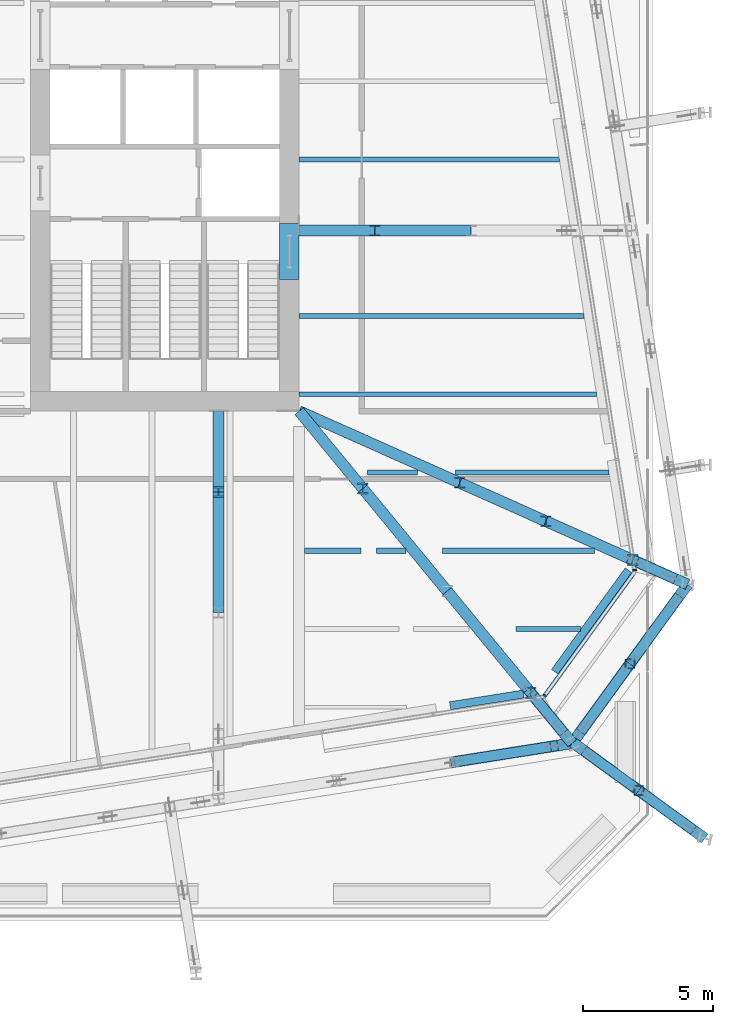
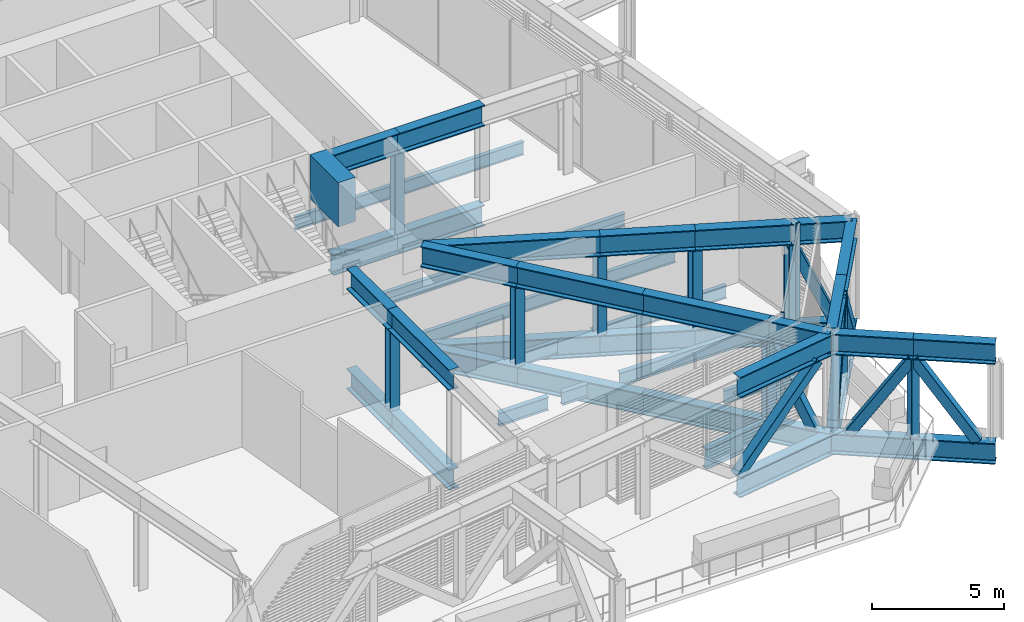
# One storey, part 8 of 32: 46 beams, 19 members, 2 elements without a shape of their own.
"""IFC4 building model written with IfcOpenShell, lengths in metres."""

import ifcopenshell
import ifcopenshell.guid

model = None  # the IFC model being written
_history = None  # IfcOwnerHistory: only IFC2X3 demands one
_inside = {}  # id of a spatial element -> (the spatial element, [elements in it])
_under = {}  # id of a project, library or spatial element -> (it, [spatial elements below it])
_declared = {}  # id of a project -> (the project, [libraries it declares])
_typed = {}  # id of a type object -> (the type object, [elements of that type])
_made_of = {}  # id of a material, layer set ... -> (it, [elements and type objects made of it])


def new_model(schema):
    """Start an empty IFC model of exactly this schema.

    Asked for "IFC4X3", IfcOpenShell would pick the latest addendum, in which some entities
    have other attributes; the version numbers below select the first issue.
    IFC2X3 requires an IfcOwnerHistory on every rooted entity: one is made here for all.
    """
    global model, _history
    if schema == "IFC4X3":
        model = ifcopenshell.file(schema_version=(4, 3, 0, 0))
    else:
        model = ifcopenshell.file(schema=schema)
    _inside.clear()
    _under.clear()
    _declared.clear()
    _typed.clear()
    _made_of.clear()
    _history = None
    if model.schema == "IFC2X3":
        org = make("IfcOrganization", Name="unknown")
        user = make(
            "IfcPersonAndOrganization",
            ThePerson=make("IfcPerson", FamilyName="unknown"),
            TheOrganization=org,
        )
        app = make(
            "IfcApplication",
            ApplicationDeveloper=org,
            Version="unknown",
            ApplicationFullName="unknown",
            ApplicationIdentifier="unknown",
        )
        _history = make(
            "IfcOwnerHistory",
            OwningUser=user,
            OwningApplication=app,
            ChangeAction="ADDED",
            CreationDate=0,
        )
    return model


def make(cls, **values):
    """One entity of the class cls with the attributes given. An attribute that is None is left unset."""
    return model.create_entity(
        cls, **{name: value for name, value in values.items() if value is not None}
    )


def rooted(cls, **values):
    """An entity with a GlobalId (a new one), such as an element, a storey or a relation."""
    return make(cls, GlobalId=ifcopenshell.guid.new(), OwnerHistory=_history, **values)


def si_unit(unit_type, name, prefix=None):
    """IfcSIUnit, for example si_unit("LENGTHUNIT", "METRE", prefix="MILLI")."""
    return make("IfcSIUnit", UnitType=unit_type, Prefix=prefix, Name=name)


def assignment(units):
    """IfcUnitAssignment: the units of a project."""
    return None if units is None else make("IfcUnitAssignment", Units=units)


def point(xyz):
    """IfcCartesianPoint."""
    return None if xyz is None else make("IfcCartesianPoint", Coordinates=xyz)


def direction(xyz):
    """IfcDirection."""
    return None if xyz is None else make("IfcDirection", DirectionRatios=xyz)


def frame(location, z_axis=None, x_axis=None):
    """IfcAxis2Placement3D, a coordinate frame: its origin and axes. An axis left out is left unset."""
    return make(
        "IfcAxis2Placement3D",
        Location=point(location),
        Axis=direction(z_axis),
        RefDirection=direction(x_axis),
    )


def frame_2d(location, x_axis=None):
    """IfcAxis2Placement2D, a coordinate frame in the plane: its origin and x axis."""
    return make(
        "IfcAxis2Placement2D", Location=point(location), RefDirection=direction(x_axis)
    )


def origin():
    """The frame at (0, 0, 0) with its axes left unset."""
    return frame((0.0, 0.0, 0.0))


def origin_2d():
    """The frame at (0, 0) in the plane with its x axis left unset."""
    return frame_2d((0.0, 0.0))


def place(relative_to, where):
    """IfcLocalPlacement: puts the frame where relative to a parent placement (None: the world)."""
    return make(
        "IfcLocalPlacement", PlacementRelTo=relative_to, RelativePlacement=where
    )


def context(
    kind, dimensions, precision=None, world=None, true_north=None, identifier=None
):
    """IfcGeometricRepresentationContext, for example the 3D "Model" context."""
    return make(
        "IfcGeometricRepresentationContext",
        ContextIdentifier=identifier,
        ContextType=kind,
        CoordinateSpaceDimension=dimensions,
        Precision=precision,
        WorldCoordinateSystem=world,
        TrueNorth=true_north,
    )


def subcontext(parent, identifier, kind, view, scale=None):
    """IfcGeometricRepresentationSubContext, for example "Body" below "Model"."""
    return make(
        "IfcGeometricRepresentationSubContext",
        ContextIdentifier=identifier,
        ContextType=kind,
        ParentContext=parent,
        TargetScale=scale,
        TargetView=view,
    )


def project(units=None, contexts=None):
    """IfcProject with its units and contexts."""
    return rooted(
        "IfcProject",
        Name="project",
        RepresentationContexts=contexts,
        UnitsInContext=assignment(units),
    )


def spatial(cls, under=None, at=None, **own):
    """A site, building, storey or space (cls), placed at a placement, below another one or the project."""
    s = rooted(cls, ObjectPlacement=at, **own)
    if under is not None:
        _under.setdefault(under.id(), (under, []))[1].append(s)
    return s


def profile(cls, at=None, kind="AREA", **sizes):
    """A parametric profile (cls). Its sizes go by their IFC names, for example OverallWidth=200.0."""
    return make(cls, ProfileType=kind, Position=at, **sizes)


def rectangle(**sizes):
    """IfcRectangleProfileDef."""
    return profile("IfcRectangleProfileDef", **sizes)


def hollow_rectangle(**sizes):
    """IfcRectangleHollowProfileDef."""
    return profile("IfcRectangleHollowProfileDef", **sizes)


def i_section(**sizes):
    """IfcIShapeProfileDef."""
    return profile("IfcIShapeProfileDef", **sizes)


def extrude(swept, where, along, depth):
    """IfcExtrudedAreaSolid: the profile swept, set in the frame where, extruded along a direction by depth."""
    return make(
        "IfcExtrudedAreaSolid",
        SweptArea=swept,
        Position=where,
        ExtrudedDirection=direction(along),
        Depth=depth,
    )


def shape(context_of_items, identifier, shape_type, items):
    """IfcShapeRepresentation: the items that make up one representation, for example the "Body"."""
    return make(
        "IfcShapeRepresentation",
        ContextOfItems=context_of_items,
        RepresentationIdentifier=identifier,
        RepresentationType=shape_type,
        Items=items,
    )


def material(Name=None, Category=None):
    """IfcMaterial."""
    return make("IfcMaterial", Name=Name, Category=Category)


def layer(
    of_material, thickness, ventilated=None, Name=None, Category=None, Priority=None
):
    """IfcMaterialLayer: one layer of a wall or slab, of a material (None: an air gap)."""
    return make(
        "IfcMaterialLayer",
        Material=of_material,
        LayerThickness=thickness,
        IsVentilated=ventilated,
        Name=Name,
        Category=Category,
        Priority=Priority,
    )


def layer_set(layers, Name=None):
    """IfcMaterialLayerSet."""
    return make("IfcMaterialLayerSet", MaterialLayers=layers, LayerSetName=Name)


def material_profile(
    of_material, cross_section, Name=None, Category=None, Priority=None
):
    """IfcMaterialProfile: a cross section and its material."""
    return make(
        "IfcMaterialProfile",
        Name=Name,
        Material=of_material,
        Profile=cross_section,
        Priority=Priority,
        Category=Category,
    )


def profile_set(profiles, Name=None, composite=None):
    """IfcMaterialProfileSet."""
    return make(
        "IfcMaterialProfileSet",
        Name=Name,
        MaterialProfiles=profiles,
        CompositeProfile=composite,
    )


def made_of(thing, what):
    """Note that an element or type object is made of a material, layer set ...; save() writes the relation."""
    if what is not None:
        _made_of.setdefault(what.id(), (what, []))[1].append(thing)
    return thing


def type_object(cls, material=None, **own):
    """A type object (cls), such as IfcWallType, which elements share."""
    return made_of(rooted(cls, **own), material)


def element(
    cls,
    number,
    at=None,
    inside=None,
    cuts=None,
    type_object=None,
    material=None,
    context=None,
    identifier="Body",
    shape_type=None,
    held_by="IfcProductDefinitionShape",
    body=None,
    shapes=None,
    **own,
):
    """One element of the class cls, such as IfcWall. Its Tag is "e" and its number.

    at: its placement. inside: the storey or other place that contains it. cuts: it is an
    opening in that element (IfcRelVoidsElement). A single representation is given by context,
    identifier, shape_type and body (its items); several are given by shapes. held_by: the class
    of the entity that holds the representations. save() writes the other relations.
    """
    e = rooted(cls, Tag="e%d" % number, ObjectPlacement=at, **own)
    if body is not None:
        shapes = [shape(context, identifier, shape_type, body)]
    if shapes is not None:
        e.Representation = make(held_by, Representations=shapes)
    if inside is not None:
        _inside.setdefault(inside.id(), (inside, []))[1].append(e)
    if cuts is not None:
        rooted(
            "IfcRelVoidsElement", RelatingBuildingElement=cuts, RelatedOpeningElement=e
        )
    if type_object is not None:
        _typed.setdefault(type_object.id(), (type_object, []))[1].append(e)
    return made_of(e, material)


def aggregate(whole, parts):
    """IfcRelAggregates: a whole, such as a stair, and the parts it consists of."""
    return rooted("IfcRelAggregates", RelatingObject=whole, RelatedObjects=parts)


def save(model, path):
    """Write the relations noted so far, then the file.

    IfcRelAggregates (storeys below a building ...), IfcRelContainedInSpatialStructure (elements
    in a storey), IfcRelDefinesByType, IfcRelAssociatesMaterial and IfcRelDeclares: one each for
    every whole, place, type object, material and project.
    """
    for whole, parts in _under.values():
        aggregate(whole, parts)
    for where, things in _inside.values():
        rooted(
            "IfcRelContainedInSpatialStructure",
            RelatedElements=things,
            RelatingStructure=where,
        )
    for kind, things in _typed.values():
        rooted("IfcRelDefinesByType", RelatedObjects=things, RelatingType=kind)
    for what, things in _made_of.values():
        rooted("IfcRelAssociatesMaterial", RelatedObjects=things, RelatingMaterial=what)
    for by, libraries in _declared.values():
        rooted("IfcRelDeclares", RelatingContext=by, RelatedDefinitions=libraries)
    model.write(path)


model = new_model("IFC4")

# Units and contexts
model_context = context("Model", 3, precision=1e-05, world=origin(), true_north=direction((0.0, 1.0)))
body_context = subcontext(model_context, "Body", "Model", "MODEL_VIEW")
ifc_project = project(units=[si_unit("LENGTHUNIT", "METRE"), si_unit("AREAUNIT", "SQUARE_METRE"), si_unit("VOLUMEUNIT", "CUBIC_METRE"), si_unit("PLANEANGLEUNIT", "RADIAN"), si_unit("MASSUNIT", "GRAM", prefix="KILO")], contexts=[model_context])

# Site, building, storey
site_placement = place(None, origin())
site = spatial("IfcSite", under=ifc_project, at=site_placement, CompositionType="ELEMENT")
building_placement = place(site_placement, origin())
building = spatial("IfcBuilding", under=site, at=building_placement, Name="Millrace Tower", CompositionType="ELEMENT")
storey_placement = place(building_placement, frame((0.0, 0.0, 124.89990234375)))
storey = spatial("IfcBuildingStorey", under=building, at=storey_placement, Name="L27", CompositionType="ELEMENT", Elevation=124.89990234375)

# Curtain wall, member
ifc_material_1 = material(Name="Aluminium and glass", Category="aluminium")
ifc_layer = layer(ifc_material_1, 0.14990234375)
ifc_layer_set = layer_set([ifc_layer], Name="Aluminium and glass")
curtain_wall_type = type_object("IfcCurtainWallType", Name="CW-5 truss and plant storey louvred infill", PredefinedType="NOTDEFINED", material=ifc_layer_set)
placement = place(storey_placement, origin())
curtain_wall_1 = element("IfcCurtainWall", 1, at=placement, inside=storey, type_object=curtain_wall_type, Name="Curtain wall C-F03 L27", PredefinedType="NOTDEFINED")
ifc_material_2 = material(Name="Aluminium", Category="aluminium")
ifc_material_profile_1 = material_profile(ifc_material_2, rectangle(XDim=0.06494140625, YDim=0.14990234375, at=origin_2d()))
ifc_profile_set_1 = profile_set([ifc_material_profile_1], Name="Aluminium")
member_type_1 = type_object("IfcMemberType", Name="CW-5 truss and plant storey louvred infill mullion", PredefinedType="MULLION", material=ifc_profile_set_1)
member_1_placement = place(storey_placement, frame((24.06787109375, -20.551513671875, 0.14013671875), z_axis=(0.0, 0.0, 1.0), x_axis=(0.587785269844, 0.809016981623, 0.0)))
member_1 = element("IfcMember", 2, at=member_1_placement, type_object=member_type_1, Name="CW5 mullion C-F03.1", PredefinedType="MULLION", context=body_context, shape_type="SweptSolid", body=[
    extrude(rectangle(XDim=0.06494140625, YDim=0.14990234375, at=origin_2d()), origin(), (0.0, 0.0, 1.0), 4.4599609375),
])

curtain_wall_2 = element("IfcCurtainWall", 3, at=placement, inside=storey, type_object=curtain_wall_type, Name="Curtain wall C-F04 L27", PredefinedType="NOTDEFINED")
member_2_placement = place(storey_placement, frame((27.506591796875, -15.74169921875, 0.14013671875), z_axis=(0.0, 0.0, 1.0), x_axis=(-0.15643447328, 0.98768833929, 0.0)))
member_2 = element("IfcMember", 4, at=member_2_placement, type_object=member_type_1, Name="CW5 mullion C-F04.1", PredefinedType="MULLION", context=body_context, shape_type="SweptSolid", body=[
    extrude(rectangle(XDim=0.06494140625, YDim=0.14990234375, at=origin_2d()), origin(), (0.0, 0.0, 1.0), 4.4599609375),
])
aggregate(curtain_wall_2, [member_2])

# Member
ifc_material_3 = material(Name="Aluminium", Category="aluminium")
ifc_material_profile_2 = material_profile(ifc_material_3, rectangle(XDim=0.14990234375, YDim=0.139892578125, at=origin_2d()))
ifc_profile_set_2 = profile_set([ifc_material_profile_2], Name="Aluminium")
member_type_2 = type_object("IfcMemberType", Name="CW-5 truss and plant storey louvred infill transom", PredefinedType="USERDEFINED", material=ifc_profile_set_2)
member_3_placement = place(storey_placement, frame((24.107421875, -20.496826171875, 0.070068359375), z_axis=(0.587810581339, 0.808998591139, 0.0), x_axis=(-0.808998591139, 0.587810581339, 0.0)))
member_3 = element("IfcMember", 5, at=member_3_placement, type_object=member_type_2, Name="CW5 transom C-F03.1", ObjectType="TRANSOM", PredefinedType="USERDEFINED", context=body_context, shape_type="SweptSolid", body=[
    extrude(rectangle(XDim=0.14990234375, YDim=0.139892578125, at=origin_2d()), origin(), (0.0, 0.0, 1.0), 5.6689453125),
])

aggregate(curtain_wall_1, [member_1, member_3])

# Beams
ifc_material_4 = material(Name="Concrete C70", Category="concrete")
ifc_material_profile_3 = material_profile(ifc_material_4, rectangle(XDim=0.75, YDim=2.0400390625, at=origin_2d()))
ifc_profile_set_3 = profile_set([ifc_material_profile_3], Name="Concrete C70")
beam_type_1 = type_object("IfcBeamType", Name="Coupling beam 750 x 2040 Concrete C70, 1300 opening", PredefinedType="BEAM", material=ifc_profile_set_3)
beam_1_placement = place(storey_placement, frame((14.27490234375, -2.458984375, 3.420166015625), z_axis=(0.0, -1.0, 0.0), x_axis=(1.0, 0.0, 0.0)))
element("IfcBeam", 6, at=beam_1_placement, inside=storey, type_object=beam_type_1, Name="Coupling beam E L27", PredefinedType="BEAM", context=body_context, shape_type="SweptSolid", body=[
    extrude(rectangle(XDim=0.75, YDim=2.0400390625, at=origin_2d()), origin(), (0.0, 0.0, 1.0), 2.14208984375),
])
ifc_material_5 = material(Name="Steel ASTM A992 Grade 50", Category="steel")
ifc_material_profile_4 = material_profile(ifc_material_5, i_section(OverallWidth=0.177978515625, OverallDepth=0.599365234375, WebThickness=0.010009765625, FlangeThickness=0.012939453125, FilletRadius=0.012939453125, at=origin_2d()))
ifc_profile_set_4 = profile_set([ifc_material_profile_4], Name="Steel ASTM A992 Grade 50")
beam_type_2 = type_object("IfcBeamType", Name="Floor beam W24x55", PredefinedType="JOIST", material=ifc_profile_set_4)
beam_2_placement = place(storey_placement, frame((14.64990234375, 0.0, -0.459716796875), z_axis=(1.0, 0.0, 0.0), x_axis=(0.0, 1.0, 0.0)))
element("IfcBeam", 7, at=beam_2_placement, inside=storey, type_object=beam_type_2, Name="BM-C-L27-S1-S021", PredefinedType="JOIST", context=body_context, shape_type="SweptSolid", body=[
    extrude(i_section(OverallWidth=0.177978515625, OverallDepth=0.599365234375, WebThickness=0.010009765625, FlangeThickness=0.012939453125, FilletRadius=0.012939453125, at=origin_2d()), origin(), (0.0, 0.0, 1.0), 9.976318359375),
])
ifc_material_6 = material(Name="Steel ASTM A992 Grade 50", Category="steel")
ifc_material_profile_5 = material_profile(ifc_material_6, i_section(OverallWidth=0.1787109375, OverallDepth=0.60205078125, WebThickness=0.010986328125, FlangeThickness=0.014892578125, FilletRadius=0.0126953125, at=origin_2d()))
ifc_profile_set_5 = profile_set([ifc_material_profile_5], Name="Steel ASTM A992 Grade 50")
beam_type_3 = type_object("IfcBeamType", Name="Floor beam W24x62", PredefinedType="JOIST", material=ifc_profile_set_5)
beam_3_placement = place(storey_placement, frame((14.64990234375, -9.0, -0.4609375), z_axis=(1.0, 0.0, 0.0), x_axis=(0.0, 1.0, 0.0)))
element("IfcBeam", 8, at=beam_3_placement, inside=storey, type_object=beam_type_3, Name="BM-C-L27-S1-S012", PredefinedType="JOIST", context=body_context, shape_type="SweptSolid", body=[
    extrude(i_section(OverallWidth=0.1787109375, OverallDepth=0.60205078125, WebThickness=0.010986328125, FlangeThickness=0.014892578125, FilletRadius=0.0126953125, at=origin_2d()), origin(), (0.0, 0.0, 1.0), 11.40185546875),
])
beam_4_placement = place(storey_placement, frame((14.64990234375, -6.0, -0.4609375), z_axis=(1.0, 0.0, 0.0), x_axis=(0.0, 1.0, 0.0)))
element("IfcBeam", 9, at=beam_4_placement, inside=storey, type_object=beam_type_3, Name="BM-C-L27-S1-S015", PredefinedType="JOIST", context=body_context, shape_type="SweptSolid", body=[
    extrude(i_section(OverallWidth=0.1787109375, OverallDepth=0.60205078125, WebThickness=0.010986328125, FlangeThickness=0.014892578125, FilletRadius=0.0126953125, at=origin_2d()), origin(), (0.0, 0.0, 1.0), 10.9267578125),
])
beam_5_placement = place(storey_placement, frame((22.96875, -18.0, -0.4609375), z_axis=(1.0, 0.0, 0.0), x_axis=(0.0, 1.0, 0.0)))
element("IfcBeam", 10, at=beam_5_placement, inside=storey, type_object=beam_type_3, Name="BM-C-L27-S1-S005-b-b", PredefinedType="JOIST", context=body_context, shape_type="SweptSolid", body=[
    extrude(i_section(OverallWidth=0.1787109375, OverallDepth=0.60205078125, WebThickness=0.010986328125, FlangeThickness=0.014892578125, FilletRadius=0.0126953125, at=origin_2d()), origin(), (0.0, 0.0, 1.0), 2.46826171875),
])
beam_6_placement = place(storey_placement, frame((17.27685546875, -12.0, -0.4609375), z_axis=(1.0, 0.0, 0.0), x_axis=(0.0, 1.0, 0.0)))
element("IfcBeam", 11, at=beam_6_placement, inside=storey, type_object=beam_type_3, Name="BM-C-L27-S1-S009-a", PredefinedType="JOIST", context=body_context, shape_type="SweptSolid", body=[
    extrude(i_section(OverallWidth=0.1787109375, OverallDepth=0.60205078125, WebThickness=0.010986328125, FlangeThickness=0.014892578125, FilletRadius=0.0126953125, at=origin_2d()), origin(), (0.0, 0.0, 1.0), 1.91796875),
])
beam_7_placement = place(storey_placement, frame((20.645263671875, -12.0, -0.4609375), z_axis=(1.0, 0.0, 0.0), x_axis=(0.0, 1.0, 0.0)))
element("IfcBeam", 12, at=beam_7_placement, inside=storey, type_object=beam_type_3, Name="BM-C-L27-S1-S009-b", PredefinedType="JOIST", context=body_context, shape_type="SweptSolid", body=[
    extrude(i_section(OverallWidth=0.1787109375, OverallDepth=0.60205078125, WebThickness=0.010986328125, FlangeThickness=0.014892578125, FilletRadius=0.0126953125, at=origin_2d()), origin(), (0.0, 0.0, 1.0), 5.881591796875),
])
ifc_material_7 = material(Name="Steel ASTM A992 Grade 50", Category="steel")
ifc_material_profile_6 = material_profile(ifc_material_7, i_section(OverallWidth=0.228271484375, OverallDepth=0.607177734375, WebThickness=0.01123046875, FlangeThickness=0.017333984375, FilletRadius=0.0126953125, at=origin_2d()))
ifc_profile_set_6 = profile_set([ifc_material_profile_6], Name="Steel ASTM A992 Grade 50")
beam_type_4 = type_object("IfcBeamType", Name="Floor beam W24x76", PredefinedType="JOIST", material=ifc_profile_set_6)
beam_8_placement = place(storey_placement, frame((14.859619140625, -15.0, -0.46337890625), z_axis=(1.0, 0.0, 0.0), x_axis=(0.0, 1.0, 0.0)))
element("IfcBeam", 13, at=beam_8_placement, inside=storey, type_object=beam_type_4, Name="BM-C-L27-S1-S007-a", PredefinedType="JOIST", context=body_context, shape_type="SweptSolid", body=[
    extrude(i_section(OverallWidth=0.228271484375, OverallDepth=0.607177734375, WebThickness=0.01123046875, FlangeThickness=0.017333984375, FilletRadius=0.0126953125, at=origin_2d()), origin(), (0.0, 0.0, 1.0), 2.16796875),
])
beam_9_placement = place(storey_placement, frame((17.62255859375, -15.0, -0.46337890625), z_axis=(1.0, 0.0, 0.0), x_axis=(0.0, 1.0, 0.0)))
element("IfcBeam", 14, at=beam_9_placement, inside=storey, type_object=beam_type_4, Name="BM-C-L27-S1-S007-b-a", PredefinedType="JOIST", context=body_context, shape_type="SweptSolid", body=[
    extrude(i_section(OverallWidth=0.228271484375, OverallDepth=0.607177734375, WebThickness=0.01123046875, FlangeThickness=0.017333984375, FilletRadius=0.0126953125, at=origin_2d()), origin(), (0.0, 0.0, 1.0), 1.118408203125),
])
beam_10_placement = place(storey_placement, frame((20.14892578125, -15.0, -0.46337890625), z_axis=(1.0, 0.0, 0.0), x_axis=(0.0, 1.0, 0.0)))
element("IfcBeam", 15, at=beam_10_placement, inside=storey, type_object=beam_type_4, Name="BM-C-L27-S1-S007-b-b", PredefinedType="JOIST", context=body_context, shape_type="SweptSolid", body=[
    extrude(i_section(OverallWidth=0.228271484375, OverallDepth=0.607177734375, WebThickness=0.01123046875, FlangeThickness=0.017333984375, FilletRadius=0.0126953125, at=origin_2d()), origin(), (0.0, 0.0, 1.0), 5.821044921875),
])
ifc_material_8 = material(Name="Steel ASTM A992 Grade 50", Category="steel")
ifc_material_profile_7 = material_profile(ifc_material_8, i_section(OverallWidth=0.307373046875, OverallDepth=0.927001953125, WebThickness=0.01953125, FlangeThickness=0.031982421875, FilletRadius=0.01904296875, at=origin_2d()))
ifc_profile_set_7 = profile_set([ifc_material_profile_7], Name="Steel ASTM A992 Grade 50")
beam_type_5 = type_object("IfcBeamType", Name="Ring beam short span W36x194", PredefinedType="SPANDREL", material=ifc_profile_set_7)
beam_11_placement = place(storey_placement, frame((27.27587890625, -15.746826171875, -0.62353515625), z_axis=(-0.587809578929, -0.80899931948, 0.0), x_axis=(0.80899931948, -0.587809578929, 0.0)))
element("IfcBeam", 16, at=beam_11_placement, inside=storey, type_object=beam_type_5, Name="RNG-C-L27-S1-12", PredefinedType="SPANDREL", context=body_context, shape_type="SweptSolid", body=[
    extrude(i_section(OverallWidth=0.307373046875, OverallDepth=0.927001953125, WebThickness=0.01953125, FlangeThickness=0.031982421875, FilletRadius=0.01904296875, at=origin_2d()), origin(), (0.0, 0.0, 1.0), 4.811279296875),
])
beam_12_placement = place(storey_placement, frame((23.25146484375, -20.49462890625, -0.62353515625), z_axis=(-0.987687747109, -0.156438212116, 0.0), x_axis=(0.156438212116, -0.987687747109, 0.0)))
element("IfcBeam", 17, at=beam_12_placement, inside=storey, type_object=beam_type_5, Name="RNG-C-L27-S1-13-a", PredefinedType="SPANDREL", context=body_context, shape_type="SweptSolid", body=[
    extrude(i_section(OverallWidth=0.307373046875, OverallDepth=0.927001953125, WebThickness=0.01953125, FlangeThickness=0.031982421875, FilletRadius=0.01904296875, at=origin_2d()), origin(), (0.0, 0.0, 1.0), 2.8466796875),
])

# Members
ifc_material_9 = material(Name="Steel ASTM A992 Grade 50", Category="steel")
ifc_material_profile_8 = material_profile(ifc_material_9, i_section(OverallWidth=0.406494140625, OverallDepth=0.41650390625, WebThickness=0.030029296875, FlangeThickness=0.048095703125, FilletRadius=0.01513671875, at=origin_2d()))
ifc_profile_set_8 = profile_set([ifc_material_profile_8], Name="Steel ASTM A992 Grade 50")
member_type_3 = type_object("IfcMemberType", Name="Transfer truss Vierendeel moment post W14x257", PredefinedType="POST", material=ifc_profile_set_8)
for number, where, z_axis, x_axis, name in (
    (18, (11.5595703125, -12.75, -0.159912109375), (0.0, 0.0, 1.0), (1.0, 0.0, 0.0), "TRS-L27-C04-V03"),
    (19, (23.531005859375, -20.448486328125, -0.159912109375), (0.0, 0.0, 1.0), (1.0, 0.0, 0.0), "TRS-L27-C05-V01"),
    (20, (17.089111328125, -12.61572265625, -0.159912109375), (0.0, 0.0, 1.0), (1.0, 0.0, 0.0), "TRS-L27-C05-V03"),
    (21, (27.442138671875, -15.354248046875, -0.159912109375), (0.0, 0.0, 1.0), (1.0, 0.0, 0.0), "TRS-L27-C06-V01"),
    (22, (24.1083984375, -13.86767578125, -0.159912109375), (0.0, 0.0, 1.0), (1.0, 0.0, 0.0), "TRS-L27-C06-V02"),
    (23, (20.8056640625, -12.39501953125, -0.159912109375), (0.0, 0.0, 1.0), (1.0, 0.0, 0.0), "TRS-L27-C06-V03"),
    (24, (17.550048828125, -2.7314453125, -0.159912109375), (0.0, 0.0, 1.0), (1.0, 0.0, 0.0), "TRS-L27-C07-V03"),
):
    element("IfcMember", number, at=place(storey_placement, frame(where, z_axis=z_axis, x_axis=x_axis)), inside=storey, type_object=member_type_3, Name=name, PredefinedType="POST", context=body_context, shape_type="SweptSolid", body=[
        extrude(i_section(OverallWidth=0.406494140625, OverallDepth=0.41650390625, WebThickness=0.030029296875, FlangeThickness=0.048095703125, FilletRadius=0.01513671875, at=origin_2d()), origin(), (0.0, 0.0, 1.0), 3.642333984375),
    ])

# Beams
ifc_material_10 = material(Name="Steel ASTM A992 Grade 50", Category="steel")
ifc_material_profile_9 = material_profile(ifc_material_10, i_section(OverallWidth=0.421630859375, OverallDepth=0.95751953125, WebThickness=0.02587890625, FlangeThickness=0.046875, FilletRadius=0.024169921875, at=origin_2d()))
ifc_profile_set_9 = profile_set([ifc_material_profile_9], Name="Steel ASTM A992 Grade 50")
beam_type_6 = type_object("IfcBeamType", Name="Transfer truss chord W36x330", PredefinedType="BEAM", material=ifc_profile_set_9)
for number, where, z_axis, x_axis, name in (
    (25, (20.599365234375, -23.09521484375, -0.638671875), (0.987689751328, 0.156425557764, 0.0), (-0.156425557764, 0.987689751328, 0.0), "TRS-L27-R04-B03"),
    (26, (20.599365234375, -23.09521484375, 3.96142578125), (0.987689751328, 0.156425557764, 0.0), (-0.156425557764, 0.987689751328, 0.0), "TRS-L27-R04-T03"),
):
    element("IfcBeam", number, at=place(storey_placement, frame(where, z_axis=z_axis, x_axis=x_axis)), inside=storey, type_object=beam_type_6, Name=name, PredefinedType="BEAM", context=body_context, shape_type="SweptSolid", body=[
        extrude(i_section(OverallWidth=0.421630859375, OverallDepth=0.95751953125, WebThickness=0.02587890625, FlangeThickness=0.046875, FilletRadius=0.024169921875, at=origin_2d()), origin(), (0.0, 0.0, 1.0), 4.576171875),
    ])
for number, where, z_axis, x_axis, name in (
    (27, (25.119140625, -22.37939453125, -0.638671875), (0.587774262707, 0.809024978662, 0.0), (-0.809024978662, 0.587774262707, 0.0), "TRS-L27-R05-B01"),
    (28, (25.119140625, -22.37939453125, 3.96142578125), (0.587774262707, 0.809024978662, 0.0), (-0.809024978662, 0.587774262707, 0.0), "TRS-L27-R05-T01"),
):
    element("IfcBeam", number, at=place(storey_placement, frame(where, z_axis=z_axis, x_axis=x_axis)), inside=storey, type_object=beam_type_6, Name=name, PredefinedType="BEAM", context=body_context, shape_type="SweptSolid", body=[
        extrude(i_section(OverallWidth=0.421630859375, OverallDepth=0.95751953125, WebThickness=0.02587890625, FlangeThickness=0.046875, FilletRadius=0.024169921875, at=origin_2d()), origin(), (0.0, 0.0, 1.0), 3.7626953125),
    ])
for number, where, z_axis, x_axis, name in (
    (29, (27.330810546875, -19.335205078125, -0.638671875), (0.587816727531, 0.80899412534, 0.0), (-0.80899412534, 0.587816727531, 0.0), "TRS-L27-R05-B02"),
    (30, (27.330810546875, -19.335205078125, 3.96142578125), (0.587816727531, 0.80899412534, 0.0), (-0.80899412534, 0.587816727531, 0.0), "TRS-L27-R05-T02"),
):
    element("IfcBeam", number, at=place(storey_placement, frame(where, z_axis=z_axis, x_axis=x_axis)), inside=storey, type_object=beam_type_6, Name=name, PredefinedType="BEAM", context=body_context, shape_type="SweptSolid", body=[
        extrude(i_section(OverallWidth=0.421630859375, OverallDepth=0.95751953125, WebThickness=0.02587890625, FlangeThickness=0.046875, FilletRadius=0.024169921875, at=origin_2d()), origin(), (0.0, 0.0, 1.0), 3.762939453125),
    ])
for number, where, z_axis, x_axis, name in (
    (31, (11.5595703125, -17.376953125, -0.638671875), (0.0, 1.0, 0.0), (-1.0, 0.0, 0.0), "TRS-L27-C04-B03"),
    (32, (11.5595703125, -17.376953125, 3.96142578125), (0.0, 1.0, 0.0), (-1.0, 0.0, 0.0), "TRS-L27-C04-T03"),
):
    element("IfcBeam", number, at=place(storey_placement, frame(where, z_axis=z_axis, x_axis=x_axis)), inside=storey, type_object=beam_type_6, Name=name, PredefinedType="BEAM", context=body_context, shape_type="SweptSolid", body=[
        extrude(i_section(OverallWidth=0.421630859375, OverallDepth=0.95751953125, WebThickness=0.02587890625, FlangeThickness=0.046875, FilletRadius=0.024169921875, at=origin_2d()), origin(), (0.0, 0.0, 1.0), 4.626953125),
    ])
for number, where, z_axis, x_axis, name in (
    (33, (11.5595703125, -12.75, -0.638671875), (0.0, 1.0, 0.0), (-1.0, 0.0, 0.0), "TRS-L27-C04-B04"),
    (34, (11.5595703125, -12.75, 3.96142578125), (0.0, 1.0, 0.0), (-1.0, 0.0, 0.0), "TRS-L27-C04-T04"),
):
    element("IfcBeam", number, at=place(storey_placement, frame(where, z_axis=z_axis, x_axis=x_axis)), inside=storey, type_object=beam_type_6, Name=name, PredefinedType="BEAM", context=body_context, shape_type="SweptSolid", body=[
        extrude(i_section(OverallWidth=0.421630859375, OverallDepth=0.95751953125, WebThickness=0.02587890625, FlangeThickness=0.046875, FilletRadius=0.024169921875, at=origin_2d()), origin(), (0.0, 0.0, 1.0), 3.10009765625),
    ])
for number, where, z_axis, x_axis, name in (
    (35, (25.119140625, -22.37939453125, -0.638671875), (-0.635224507587, 0.772327537357, 0.0), (-0.772327537357, -0.635224507587, 0.0), "TRS-L27-C05-B01"),
    (36, (25.119140625, -22.37939453125, 3.96142578125), (-0.635224507587, 0.772327537357, 0.0), (-0.772327537357, -0.635224507587, 0.0), "TRS-L27-C05-T01"),
):
    element("IfcBeam", number, at=place(storey_placement, frame(where, z_axis=z_axis, x_axis=x_axis)), inside=storey, type_object=beam_type_6, Name=name, PredefinedType="BEAM", context=body_context, shape_type="SweptSolid", body=[
        extrude(i_section(OverallWidth=0.421630859375, OverallDepth=0.95751953125, WebThickness=0.02587890625, FlangeThickness=0.046875, FilletRadius=0.024169921875, at=origin_2d()), origin(), (0.0, 0.0, 1.0), 2.5),
    ])
for number, where, z_axis, x_axis, name in (
    (37, (23.531005859375, -20.448486328125, -0.638671875), (-0.635220773842, 0.772330608275, 0.0), (-0.772330608275, -0.635220773842, 0.0), "TRS-L27-C05-B02"),
    (38, (23.531005859375, -20.448486328125, 3.96142578125), (-0.635220773842, 0.772330608275, 0.0), (-0.772330608275, -0.635220773842, 0.0), "TRS-L27-C05-T02"),
):
    element("IfcBeam", number, at=place(storey_placement, frame(where, z_axis=z_axis, x_axis=x_axis)), inside=storey, type_object=beam_type_6, Name=name, PredefinedType="BEAM", context=body_context, shape_type="SweptSolid", body=[
        extrude(i_section(OverallWidth=0.421630859375, OverallDepth=0.95751953125, WebThickness=0.02587890625, FlangeThickness=0.046875, FilletRadius=0.024169921875, at=origin_2d()), origin(), (0.0, 0.0, 1.0), 5.0498046875),
    ])
for number, where, z_axis, x_axis, name in (
    (39, (20.3232421875, -16.54833984375, -0.638671875), (-0.635181049804, 0.772363278497, 0.0), (-0.772363278497, -0.635181049804, 0.0), "TRS-L27-C05-B03"),
    (40, (20.3232421875, -16.54833984375, 3.96142578125), (-0.635181049804, 0.772363278497, 0.0), (-0.772363278497, -0.635181049804, 0.0), "TRS-L27-C05-T03"),
):
    element("IfcBeam", number, at=place(storey_placement, frame(where, z_axis=z_axis, x_axis=x_axis)), inside=storey, type_object=beam_type_6, Name=name, PredefinedType="BEAM", context=body_context, shape_type="SweptSolid", body=[
        extrude(i_section(OverallWidth=0.421630859375, OverallDepth=0.95751953125, WebThickness=0.02587890625, FlangeThickness=0.046875, FilletRadius=0.024169921875, at=origin_2d()), origin(), (0.0, 0.0, 1.0), 5.091552734375),
    ])
for number, where, z_axis, x_axis, name in (
    (41, (17.089111328125, -12.61572265625, -0.638671875), (-0.635205706278, 0.772343000688, 0.0), (-0.772343000688, -0.635205706278, 0.0), "TRS-L27-C05-B04"),
    (42, (17.089111328125, -12.61572265625, 3.96142578125), (-0.635205706278, 0.772343000688, 0.0), (-0.772343000688, -0.635205706278, 0.0), "TRS-L27-C05-T04"),
):
    element("IfcBeam", number, at=place(storey_placement, frame(where, z_axis=z_axis, x_axis=x_axis)), inside=storey, type_object=beam_type_6, Name=name, PredefinedType="BEAM", context=body_context, shape_type="SweptSolid", body=[
        extrude(i_section(OverallWidth=0.421630859375, OverallDepth=0.95751953125, WebThickness=0.02587890625, FlangeThickness=0.046875, FilletRadius=0.024169921875, at=origin_2d()), origin(), (0.0, 0.0, 1.0), 3.840087890625),
    ])
for number, where, z_axis, x_axis, name in (
    (43, (29.542724609375, -16.291015625, -0.638671875), (-0.913298684626, 0.407290452454, 0.0), (-0.407290452454, -0.913298684626, 0.0), "TRS-L27-C06-B01"),
    (44, (29.542724609375, -16.291015625, 3.96142578125), (-0.913298684626, 0.407290452454, 0.0), (-0.407290452454, -0.913298684626, 0.0), "TRS-L27-C06-T01"),
):
    element("IfcBeam", number, at=place(storey_placement, frame(where, z_axis=z_axis, x_axis=x_axis)), inside=storey, type_object=beam_type_6, Name=name, PredefinedType="BEAM", context=body_context, shape_type="SweptSolid", body=[
        extrude(i_section(OverallWidth=0.421630859375, OverallDepth=0.95751953125, WebThickness=0.02587890625, FlangeThickness=0.046875, FilletRadius=0.024169921875, at=origin_2d()), origin(), (0.0, 0.0, 1.0), 2.300048828125),
    ])
for number, where, z_axis, x_axis, name in (
    (45, (27.442138671875, -15.354248046875, -0.638671875), (-0.913311635812, 0.407261409774, 0.0), (-0.407261409774, -0.913311635812, 0.0), "TRS-L27-C06-B02"),
    (46, (27.442138671875, -15.354248046875, 3.96142578125), (-0.913311635812, 0.407261409774, 0.0), (-0.407261409774, -0.913311635812, 0.0), "TRS-L27-C06-T02"),
):
    element("IfcBeam", number, at=place(storey_placement, frame(where, z_axis=z_axis, x_axis=x_axis)), inside=storey, type_object=beam_type_6, Name=name, PredefinedType="BEAM", context=body_context, shape_type="SweptSolid", body=[
        extrude(i_section(OverallWidth=0.421630859375, OverallDepth=0.95751953125, WebThickness=0.02587890625, FlangeThickness=0.046875, FilletRadius=0.024169921875, at=origin_2d()), origin(), (0.0, 0.0, 1.0), 3.650146484375),
    ])
for number, where, z_axis, x_axis, name in (
    (47, (24.1083984375, -13.86767578125, -0.638671875), (-0.913320889608, 0.407240656868, 0.0), (-0.407240656868, -0.913320889608, 0.0), "TRS-L27-C06-B03"),
    (48, (24.1083984375, -13.86767578125, 3.96142578125), (-0.913320889608, 0.407240656868, 0.0), (-0.407240656868, -0.913320889608, 0.0), "TRS-L27-C06-T03"),
):
    element("IfcBeam", number, at=place(storey_placement, frame(where, z_axis=z_axis, x_axis=x_axis)), inside=storey, type_object=beam_type_6, Name=name, PredefinedType="BEAM", context=body_context, shape_type="SweptSolid", body=[
        extrude(i_section(OverallWidth=0.421630859375, OverallDepth=0.95751953125, WebThickness=0.02587890625, FlangeThickness=0.046875, FilletRadius=0.024169921875, at=origin_2d()), origin(), (0.0, 0.0, 1.0), 3.6162109375),
    ])
for number, where, z_axis, x_axis, name in (
    (49, (20.8056640625, -12.39501953125, -0.638671875), (-0.913302978528, 0.407280823771, 0.0), (-0.407280823771, -0.913302978528, 0.0), "TRS-L27-C06-B04"),
    (50, (20.8056640625, -12.39501953125, 3.96142578125), (-0.913302978528, 0.407280823771, 0.0), (-0.407280823771, -0.913302978528, 0.0), "TRS-L27-C06-T04"),
):
    element("IfcBeam", number, at=place(storey_placement, frame(where, z_axis=z_axis, x_axis=x_axis)), inside=storey, type_object=beam_type_6, Name=name, PredefinedType="BEAM", context=body_context, shape_type="SweptSolid", body=[
        extrude(i_section(OverallWidth=0.421630859375, OverallDepth=0.95751953125, WebThickness=0.02587890625, FlangeThickness=0.046875, FilletRadius=0.024169921875, at=origin_2d()), origin(), (0.0, 0.0, 1.0), 6.739990234375),
    ])
for number, where, z_axis, x_axis, name in (
    (51, (21.2451171875, -2.7314453125, -0.638671875), (-1.0, 0.0, 0.0), (0.0, -1.0, 0.0), "TRS-L27-C07-B03"),
    (52, (21.2451171875, -2.7314453125, 3.96142578125), (-1.0, 0.0, 0.0), (0.0, -1.0, 0.0), "TRS-L27-C07-T03"),
):
    element("IfcBeam", number, at=place(storey_placement, frame(where, z_axis=z_axis, x_axis=x_axis)), inside=storey, type_object=beam_type_6, Name=name, PredefinedType="BEAM", context=body_context, shape_type="SweptSolid", body=[
        extrude(i_section(OverallWidth=0.421630859375, OverallDepth=0.95751953125, WebThickness=0.02587890625, FlangeThickness=0.046875, FilletRadius=0.024169921875, at=origin_2d()), origin(), (0.0, 0.0, 1.0), 3.695068359375),
    ])
for number, where, z_axis, x_axis, name in (
    (53, (17.550048828125, -2.7314453125, -0.638671875), (-1.0, 0.0, 0.0), (0.0, -1.0, 0.0), "TRS-L27-C07-B04"),
    (54, (17.550048828125, -2.7314453125, 3.96142578125), (-1.0, 0.0, 0.0), (0.0, -1.0, 0.0), "TRS-L27-C07-T04"),
):
    element("IfcBeam", number, at=place(storey_placement, frame(where, z_axis=z_axis, x_axis=x_axis)), inside=storey, type_object=beam_type_6, Name=name, PredefinedType="BEAM", context=body_context, shape_type="SweptSolid", body=[
        extrude(i_section(OverallWidth=0.421630859375, OverallDepth=0.95751953125, WebThickness=0.02587890625, FlangeThickness=0.046875, FilletRadius=0.024169921875, at=origin_2d()), origin(), (0.0, 0.0, 1.0), 2.900146484375),
    ])
for number, where, z_axis, x_axis, name in (
    (55, (30.199951171875, -26.0283203125, -0.638671875), (-0.80901279093, 0.587791037795, 0.0), (-0.587791037795, -0.80901279093, 0.0), "TRS-L27-B-B-X06-B01"),
    (56, (30.199951171875, -26.0283203125, 3.96142578125), (-0.80901279093, 0.587791037795, 0.0), (-0.587791037795, -0.80901279093, 0.0), "TRS-L27-B-B-X06-T01"),
    (57, (27.669677734375, -24.18994140625, -0.638671875), (-0.80901279093, 0.587791037795, 0.0), (-0.587791037795, -0.80901279093, 0.0), "TRS-L27-B-B-X06-B02"),
    (58, (27.669677734375, -24.18994140625, 3.96142578125), (-0.80901279093, 0.587791037795, 0.0), (-0.587791037795, -0.80901279093, 0.0), "TRS-L27-B-B-X06-T02"),
):
    element("IfcBeam", number, at=place(storey_placement, frame(where, z_axis=z_axis, x_axis=x_axis)), inside=storey, type_object=beam_type_6, Name=name, PredefinedType="BEAM", context=body_context, shape_type="SweptSolid", body=[
        extrude(i_section(OverallWidth=0.421630859375, OverallDepth=0.95751953125, WebThickness=0.02587890625, FlangeThickness=0.046875, FilletRadius=0.024169921875, at=origin_2d()), origin(), (0.0, 0.0, 1.0), 3.127685546875),
    ])

# Members
ifc_material_11 = material(Name="Steel ASTM A500 Grade C", Category="steel")
ifc_material_profile_10 = material_profile(ifc_material_11, hollow_rectangle(XDim=0.406494140625, YDim=0.406494140625, WallThickness=0.0126953125, InnerFilletRadius=0.00634765625, OuterFilletRadius=0.01904296875, at=origin_2d()))
ifc_profile_set_10 = profile_set([ifc_material_profile_10], Name="Steel ASTM A500 Grade C")
member_type_4 = type_object("IfcMemberType", Name="Transfer truss diagonal HSS16x16x1/2", PredefinedType="BRACE", material=ifc_profile_set_10)
member_4_placement = place(storey_placement, frame((20.599365234375, -23.09521484375, -0.159912109375), z_axis=(0.719769757725, 0.113971577605, 0.684793381512), x_axis=(-0.156395975046, 0.987694436043, 0.0)))
element("IfcMember", 59, at=member_4_placement, inside=storey, type_object=member_type_4, Name="TRS-L27-R04-D03", PredefinedType="BRACE", context=body_context, shape_type="SweptSolid", body=[
    extrude(hollow_rectangle(XDim=0.406494140625, YDim=0.406494140625, WallThickness=0.0126953125, InnerFilletRadius=0.00634765625, OuterFilletRadius=0.01904296875, at=origin_2d()), origin(), (0.0, 0.0, 1.0), 5.31884765625),
])
for number, where, z_axis, x_axis, name in (
    (60, (25.530517578125, -21.813232421875, -0.159912109375), (0.378290693751, 0.520701185458, 0.765353791709), (-0.809032407796, 0.587764036954, 0.0), "TRS-L27-R05-D01"),
    (61, (29.131103515625, -16.857177734375, -0.159912109375), (-0.378290693751, -0.520701185458, 0.765353791709), (0.809032407796, -0.587764036954, 0.0), "TRS-L27-R05-D02"),
):
    element("IfcMember", number, at=place(storey_placement, frame(where, z_axis=z_axis, x_axis=x_axis)), inside=storey, type_object=member_type_4, Name=name, PredefinedType="BRACE", context=body_context, shape_type="SweptSolid", body=[
        extrude(hollow_rectangle(XDim=0.406494140625, YDim=0.406494140625, WallThickness=0.0126953125, InnerFilletRadius=0.00634765625, OuterFilletRadius=0.01904296875, at=origin_2d()), origin(), (0.0, 0.0, 1.0), 4.759033203125),
    ])
member_5_placement = place(storey_placement, frame((24.67431640625, -21.8388671875, -0.159912109375), z_axis=(-0.2814046406, 0.34221640577, 0.89649281083), x_axis=(-0.772395914146, -0.635141363643, 0.0)))
element("IfcMember", 62, at=member_5_placement, inside=storey, type_object=member_type_4, Name="TRS-L27-C05-D01", PredefinedType="BRACE", context=body_context, shape_type="SweptSolid", body=[
    extrude(hollow_rectangle(XDim=0.406494140625, YDim=0.406494140625, WallThickness=0.0126953125, InnerFilletRadius=0.00634765625, OuterFilletRadius=0.01904296875, at=origin_2d()), origin(), (0.0, 0.0, 1.0), 4.06298828125),
])
member_6_placement = place(storey_placement, frame((28.9033203125, -16.005859375, -0.159912109375), z_axis=(-0.367295198695, 0.163794634138, 0.915568432638), x_axis=(-0.407284993593, -0.913301119015, 0.0)))
element("IfcMember", 63, at=member_6_placement, inside=storey, type_object=member_type_4, Name="TRS-L27-C06-D01", PredefinedType="BRACE", context=body_context, shape_type="SweptSolid", body=[
    extrude(hollow_rectangle(XDim=0.406494140625, YDim=0.406494140625, WallThickness=0.0126953125, InnerFilletRadius=0.00634765625, OuterFilletRadius=0.01904296875, at=origin_2d()), origin(), (0.0, 0.0, 1.0), 3.978271484375),
])
for number, where, z_axis, x_axis, name in (
    (64, (29.6337890625, -25.616943359375, -0.159912109375), (-0.448704902403, 0.326001262218, 0.832098003598), (-0.587782972483, -0.809018650749, 0.0), "TRS-L27-B-B-X06-D01"),
    (65, (25.70556640625, -22.76318359375, -0.159912109375), (0.448713060513, -0.325951414001, 0.832113132354), (0.587717147909, 0.809066470727, 0.0), "TRS-L27-B-B-X06-D02"),
):
    element("IfcMember", number, at=place(storey_placement, frame(where, z_axis=z_axis, x_axis=x_axis)), inside=storey, type_object=member_type_4, Name=name, PredefinedType="BRACE", context=body_context, shape_type="SweptSolid", body=[
        extrude(hollow_rectangle(XDim=0.406494140625, YDim=0.406494140625, WallThickness=0.0126953125, InnerFilletRadius=0.00634765625, OuterFilletRadius=0.01904296875, at=origin_2d()), origin(), (0.0, 0.0, 1.0), 4.377197265625),
    ])
ifc_material_12 = material(Name="Steel ASTM A500 Grade C", Category="steel")
ifc_material_profile_11 = material_profile(ifc_material_12, hollow_rectangle(XDim=0.355712890625, YDim=0.355712890625, WallThickness=0.015869140625, InnerFilletRadius=0.008056640625, OuterFilletRadius=0.02392578125, at=origin_2d()))
ifc_profile_set_11 = profile_set([ifc_material_profile_11], Name="Steel ASTM A500 Grade C")
member_type_5 = type_object("IfcMemberType", Name="Transfer truss post HSS14x14x5/8", PredefinedType="POST", material=ifc_profile_set_11)
for number, where, z_axis, x_axis, name in (
    (66, (27.330810546875, -19.335205078125, -0.159912109375), (0.0, 0.0, 1.0), (1.0, 0.0, 0.0), "TRS-L27-R05-V01"),
    (67, (27.669677734375, -24.18994140625, -0.159912109375), (0.0, 0.0, 1.0), (1.0, 0.0, 0.0), "TRS-L27-B-B-X06-V01"),
):
    element("IfcMember", number, at=place(storey_placement, frame(where, z_axis=z_axis, x_axis=x_axis)), inside=storey, type_object=member_type_5, Name=name, PredefinedType="POST", context=body_context, shape_type="SweptSolid", body=[
        extrude(hollow_rectangle(XDim=0.355712890625, YDim=0.355712890625, WallThickness=0.015869140625, InnerFilletRadius=0.008056640625, OuterFilletRadius=0.02392578125, at=origin_2d()), origin(), (0.0, 0.0, 1.0), 3.642333984375),
    ])

save(model, "model.ifc")
